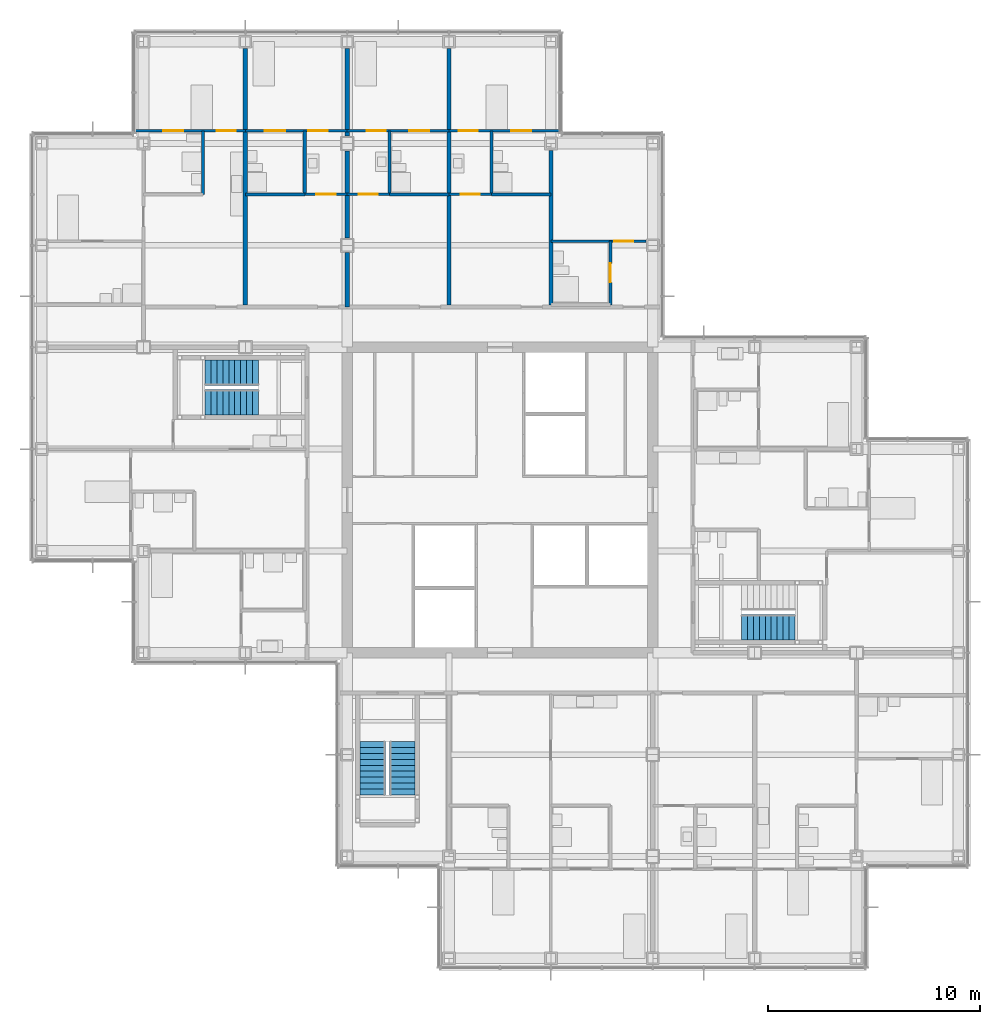
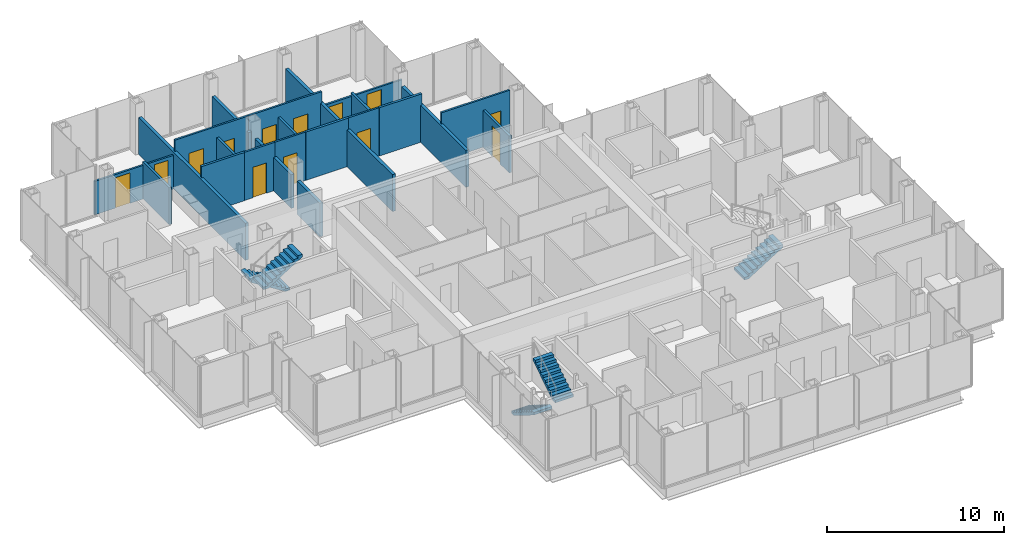
# One storey, part 16 of 20: 22 walls, 13 doors, 5 stair flights, 13 openings, 3 elements without a shape of their own.
"""IFC4 building model written with IfcOpenShell, lengths in metres."""

from ifc_helpers import new_model, si_unit, direction, frame, frame_2d, origin, place, context, subcontext, project, spatial, polyline, rectangle, outline, extrude, material, layer, layer_set, type_object, element, fill, aggregate, save


model = new_model("IFC4")

# Units and contexts
model_context = context("Model", 3, precision=1e-05, world=origin(), true_north=direction((0.0, 1.0)))
body_context = subcontext(model_context, "Body", "Model", "MODEL_VIEW")
ifc_project = project(units=[si_unit("LENGTHUNIT", "METRE"), si_unit("AREAUNIT", "SQUARE_METRE"), si_unit("VOLUMEUNIT", "CUBIC_METRE"), si_unit("PLANEANGLEUNIT", "RADIAN"), si_unit("MASSUNIT", "GRAM", prefix="KILO")], contexts=[model_context])

# Site, building, storey
site_placement = place(None, origin())
site = spatial("IfcSite", under=ifc_project, at=site_placement, CompositionType="ELEMENT")
building_placement = place(site_placement, origin())
building = spatial("IfcBuilding", under=site, at=building_placement, Name="Kvirike Care Tower", CompositionType="ELEMENT")
storey_placement = place(building_placement, frame((0.0, 0.0, 119.0)))
storey = spatial("IfcBuildingStorey", under=building, at=storey_placement, Name="L32", CompositionType="ELEMENT", Elevation=119.0)

# Walls
ifc_material_1 = material(Name="Moisture-resistant board partition", Category="gypsum")
ifc_layer_1 = layer(ifc_material_1, 0.14990234375)
ifc_layer_set_1 = layer_set([ifc_layer_1], Name="BATHROOM WALL 150")
wall_type_1 = type_object("IfcWallType", Name="BATHROOM WALL 150", PredefinedType="PARTITIONING", material=ifc_layer_set_1)
wall_1_placement = place(storey_placement, frame((12.39990234375, 53.39990234375, 0.0), z_axis=(0.0, 0.0, 1.0), x_axis=(0.0, -1.0, 0.0)))
element("IfcWall", 1, at=wall_1_placement, inside=storey, type_object=wall_type_1, Name="Bathroom Wall 150 L32", PredefinedType="PARTITIONING", context=body_context, shape_type="SweptSolid", body=[
    extrude(rectangle(XDim=3.0, YDim=0.14990234375, at=frame_2d((1.5, 0.0))), origin(), (0.0, 0.0, 1.0), 2.550048828125),
])
wall_2_placement = place(storey_placement, frame((12.39990234375, 50.39990234375, 0.0), z_axis=(0.0, 0.0, 1.0), x_axis=(-1.0, 0.0, 0.0)))
element("IfcWall", 2, at=wall_2_placement, inside=storey, type_object=wall_type_1, Name="Bathroom Wall 150 L32", PredefinedType="PARTITIONING", context=body_context, shape_type="SweptSolid", body=[
    extrude(rectangle(XDim=2.7998046875, YDim=0.14990234375, at=frame_2d((1.39990234375, 0.0))), origin(), (0.0, 0.0, 1.0), 3.330078125),
])
wall_3_placement = place(storey_placement, frame((7.60009765625, 53.39990234375, 0.0), z_axis=(0.0, 0.0, 1.0), x_axis=(0.0, -1.0, 0.0)))
element("IfcWall", 3, at=wall_3_placement, inside=storey, type_object=wall_type_1, Name="Bathroom Wall 150 L32", PredefinedType="PARTITIONING", context=body_context, shape_type="SweptSolid", body=[
    extrude(rectangle(XDim=3.0, YDim=0.14990234375, at=frame_2d((1.5, 0.0))), origin(), (0.0, 0.0, 1.0), 2.550048828125),
])

# Wall, opening, door
wall_4_placement = place(storey_placement, frame((26.800048828125, 48.199951171875, 0.0), z_axis=(0.0, 0.0, 1.0), x_axis=(0.0, -1.0, 0.0)))
wall_4 = element("IfcWall", 4, at=wall_4_placement, inside=storey, type_object=wall_type_1, Name="Bathroom Wall 150 L32", PredefinedType="PARTITIONING", context=body_context, shape_type="SweptSolid", body=[
    extrude(rectangle(XDim=3.0, YDim=0.14990234375, at=frame_2d((1.5, 0.0))), origin(), (0.0, 0.0, 1.0), 2.550048828125),
])
opening_1_placement = place(wall_4_placement, frame((1.050048828125, 0.0, 0.0)))
opening_1 = element("IfcOpeningElement", 5, at=opening_1_placement, cuts=wall_4, Name="Opening 32-027", PredefinedType="OPENING", context=body_context, shape_type="SweptSolid", body=[
    extrude(rectangle(XDim=0.89990234375, YDim=2.10009765625, at=frame_2d((0.449951171875, 1.050048828125))), frame((0.0, 0.08544921875, 0.0), z_axis=(0.0, -1.0, 0.0), x_axis=(1.0, 0.0, 0.0)), (0.0, 0.0, 1.0), 0.1708984375),
])
ifc_material_2 = material(Name="Timber door set", Category="wood")
door_type_1 = type_object("IfcDoorType", Name="BATHROOM DOOR 900", OperationType="SINGLE_SWING_RIGHT", PredefinedType="DOOR", material=ifc_material_2)
door_1_placement = place(opening_1_placement, origin())
door_1 = element("IfcDoor", 6, at=door_1_placement, inside=storey, type_object=door_type_1, Name="Assisted bathroom door", OperationType="SINGLE_SWING_LEFT", OverallHeight=2.10009765625, OverallWidth=0.89990234375, PredefinedType="DOOR", context=body_context, shape_type="SweptSolid", body=[
    extrude(rectangle(XDim=0.89990234375, YDim=2.10009765625, at=frame_2d((0.449951171875, 1.050048828125))), frame((0.0, 0.02197265625, 0.0), z_axis=(0.0, -1.0, 0.0), x_axis=(1.0, 0.0, 0.0)), (0.0, 0.0, 1.0), 0.0439453125),
])
fill(opening_1, door_1)

# Walls
wall_5_placement = place(storey_placement, frame((21.199951171875, 53.39990234375, 0.0), z_axis=(0.0, 0.0, 1.0), x_axis=(0.0, -1.0, 0.0)))
element("IfcWall", 7, at=wall_5_placement, inside=storey, type_object=wall_type_1, Name="Bathroom Wall 150 L32", PredefinedType="PARTITIONING", context=body_context, shape_type="SweptSolid", body=[
    extrude(rectangle(XDim=3.0, YDim=0.14990234375, at=frame_2d((1.5, 0.0))), origin(), (0.0, 0.0, 1.0), 2.550048828125),
])
wall_6_placement = place(storey_placement, frame((24.0, 50.39990234375, 0.0), z_axis=(0.0, 0.0, 1.0), x_axis=(-1.0, 0.0, 0.0)))
element("IfcWall", 8, at=wall_6_placement, inside=storey, type_object=wall_type_1, Name="Bathroom Wall 150 L32", PredefinedType="PARTITIONING", context=body_context, shape_type="SweptSolid", body=[
    extrude(rectangle(XDim=2.800048828125, YDim=0.14990234375, at=frame_2d((1.39990234375, 0.0))), origin(), (0.0, 0.0, 1.0), 3.330078125),
])
wall_7_placement = place(storey_placement, frame((16.39990234375, 53.39990234375, 0.0), z_axis=(0.0, 0.0, 1.0), x_axis=(0.0, -1.0, 0.0)))
element("IfcWall", 9, at=wall_7_placement, inside=storey, type_object=wall_type_1, Name="Bathroom Wall 150 L32", PredefinedType="PARTITIONING", context=body_context, shape_type="SweptSolid", body=[
    extrude(rectangle(XDim=3.0, YDim=0.14990234375, at=frame_2d((1.5, 0.0))), origin(), (0.0, 0.0, 1.0), 2.550048828125),
])
wall_8_placement = place(storey_placement, frame((19.199951171875, 50.39990234375, 0.0), z_axis=(0.0, 0.0, 1.0), x_axis=(-1.0, 0.0, 0.0)))
element("IfcWall", 10, at=wall_8_placement, inside=storey, type_object=wall_type_1, Name="Bathroom Wall 150 L32", PredefinedType="PARTITIONING", context=body_context, shape_type="SweptSolid", body=[
    extrude(rectangle(XDim=2.800048828125, YDim=0.14990234375, at=frame_2d((1.39990234375, 0.0))), origin(), (0.0, 0.0, 1.0), 3.330078125),
])

# Wall, opening, door
ifc_material_3 = material(Name="Plasterboard partition", Category="gypsum")
ifc_layer_2 = layer(ifc_material_3, 0.1201171875)
ifc_layer_set_2 = layer_set([ifc_layer_2], Name="PARTITION 120")
wall_type_2 = type_object("IfcWallType", Name="PARTITION 120", PredefinedType="PARTITIONING", material=ifc_layer_set_2)
wall_9_placement = place(storey_placement, frame((14.39990234375, 50.39990234375, 0.0), z_axis=(0.0, 0.0, 1.0), x_axis=(-1.0, 0.0, 0.0)))
wall_9 = element("IfcWall", 11, at=wall_9_placement, inside=storey, type_object=wall_type_2, Name="Partition 120 L32", PredefinedType="PARTITIONING", context=body_context, shape_type="SweptSolid", body=[
    extrude(rectangle(XDim=2.0, YDim=0.1201171875, at=frame_2d((1.0, 0.0))), origin(), (0.0, 0.0, 1.0), 3.330078125),
])
opening_2_placement = place(wall_9_placement, frame((0.550048828125, 0.0, 0.0)))
opening_2 = element("IfcOpeningElement", 12, at=opening_2_placement, cuts=wall_9, Name="Opening 32-010", PredefinedType="OPENING", context=body_context, shape_type="SweptSolid", body=[
    extrude(rectangle(XDim=0.89990234375, YDim=2.10009765625, at=frame_2d((0.449951171875, 1.050048828125))), frame((0.0, 0.070556640625, 0.0), z_axis=(0.0, -1.0, 0.0), x_axis=(1.0, 0.0, 0.0)), (0.0, 0.0, 1.0), 0.14111328125),
])
ifc_material_4 = material(Name="Timber door set", Category="wood")
door_type_2 = type_object("IfcDoorType", Name="INTERNAL DOOR 900", OperationType="SINGLE_SWING_LEFT", PredefinedType="DOOR", material=ifc_material_4)
door_2_placement = place(opening_2_placement, frame((0.89990234375, 0.0, 0.0), z_axis=(0.0, 0.0, 1.0), x_axis=(-1.0, 0.0, 0.0)))
door_2 = element("IfcDoor", 13, at=door_2_placement, inside=storey, type_object=door_type_2, Name="Kitchen door", OperationType="SINGLE_SWING_RIGHT", OverallHeight=2.10009765625, OverallWidth=0.89990234375, PredefinedType="DOOR", context=body_context, shape_type="SweptSolid", body=[
    extrude(rectangle(XDim=0.89990234375, YDim=2.10009765625, at=frame_2d((0.449951171875, 1.050048828125))), frame((0.0, 0.02197265625, 0.0), z_axis=(0.0, -1.0, 0.0), x_axis=(1.0, 0.0, 0.0)), (0.0, 0.0, 1.0), 0.0439453125),
])
fill(opening_2, door_2)

# Wall, openings, doors
wall_10_placement = place(storey_placement, frame((14.39990234375, 53.39990234375, 0.0), z_axis=(0.0, 0.0, 1.0), x_axis=(-1.0, 0.0, 0.0)))
wall_10 = element("IfcWall", 14, at=wall_10_placement, inside=storey, type_object=wall_type_2, Name="Partition 120 L32", PredefinedType="PARTITIONING", context=body_context, shape_type="SweptSolid", body=[
    extrude(rectangle(XDim=4.7998046875, YDim=0.1201171875, at=frame_2d((2.39990234375, 0.0))), origin(), (0.0, 0.0, 1.0), 3.330078125),
])
opening_3_placement = place(wall_10_placement, frame((0.925048828125, 0.0, 0.0)))
opening_3 = element("IfcOpeningElement", 15, at=opening_3_placement, cuts=wall_10, Name="Opening 32-011", PredefinedType="OPENING", context=body_context, shape_type="SweptSolid", body=[
    extrude(rectangle(XDim=0.89990234375, YDim=2.10009765625, at=frame_2d((0.449951171875, 1.050048828125))), frame((0.0, 0.070556640625, 0.0), z_axis=(0.0, -1.0, 0.0), x_axis=(1.0, 0.0, 0.0)), (0.0, 0.0, 1.0), 0.14111328125),
])
opening_4_placement = place(wall_10_placement, frame((2.925048828125, 0.0, 0.0)))
opening_4 = element("IfcOpeningElement", 16, at=opening_4_placement, cuts=wall_10, Name="Opening 32-012", PredefinedType="OPENING", context=body_context, shape_type="SweptSolid", body=[
    extrude(rectangle(XDim=0.949951171875, YDim=2.10009765625, at=frame_2d((0.47509765625, 1.050048828125))), frame((0.0, 0.070556640625, 0.0), z_axis=(0.0, -1.0, 0.0), x_axis=(1.0, 0.0, 0.0)), (0.0, 0.0, 1.0), 0.14111328125),
])
ifc_material_5 = material(Name="Timber door set", Category="wood")
door_type_3 = type_object("IfcDoorType", Name="EN-SUITE SLIDING DOOR 950", OperationType="SLIDING_TO_LEFT", PredefinedType="DOOR", material=ifc_material_5)
door_3_placement = place(opening_4_placement, origin())
door_3 = element("IfcDoor", 17, at=door_3_placement, inside=storey, type_object=door_type_3, Name="En-suite door", OperationType="SLIDING_TO_LEFT", OverallHeight=2.10009765625, OverallWidth=0.949951171875, PredefinedType="DOOR", context=body_context, shape_type="SweptSolid", body=[
    extrude(rectangle(XDim=0.949951171875, YDim=2.10009765625, at=frame_2d((0.47509765625, 1.050048828125))), frame((0.0, 0.02197265625, 0.0), z_axis=(0.0, -1.0, 0.0), x_axis=(1.0, 0.0, 0.0)), (0.0, 0.0, 1.0), 0.0439453125),
])
fill(opening_4, door_3)
door_4_placement = place(opening_3_placement, origin())
door_4 = element("IfcDoor", 18, at=door_4_placement, inside=storey, type_object=door_type_2, Name="Assisted living suite door", OperationType="SINGLE_SWING_LEFT", OverallHeight=2.10009765625, OverallWidth=0.89990234375, PredefinedType="DOOR", context=body_context, shape_type="SweptSolid", body=[
    extrude(rectangle(XDim=0.89990234375, YDim=2.10009765625, at=frame_2d((0.449951171875, 1.050048828125))), frame((0.0, 0.02197265625, 0.0), z_axis=(0.0, -1.0, 0.0), x_axis=(1.0, 0.0, 0.0)), (0.0, 0.0, 1.0), 0.0439453125),
])
fill(opening_3, door_4)

wall_11_placement = place(storey_placement, frame((9.60009765625, 53.39990234375, 0.0), z_axis=(0.0, 0.0, 1.0), x_axis=(-1.0, 0.0, 0.0)))
wall_11 = element("IfcWall", 19, at=wall_11_placement, inside=storey, type_object=wall_type_2, Name="Partition 120 L32", PredefinedType="PARTITIONING", context=body_context, shape_type="SweptSolid", body=[
    extrude(rectangle(XDim=5.239990234375, YDim=0.1201171875, at=frame_2d((2.6201171875, 0.0))), origin(), (0.0, 0.0, 1.0), 2.320068359375),
])
opening_5_placement = place(wall_11_placement, frame((0.449951171875, 0.0, 0.0)))
opening_5 = element("IfcOpeningElement", 20, at=opening_5_placement, cuts=wall_11, Name="Opening 32-013", PredefinedType="OPENING", context=body_context, shape_type="SweptSolid", body=[
    extrude(rectangle(XDim=0.89990234375, YDim=2.10009765625, at=frame_2d((0.449951171875, 1.050048828125))), frame((0.0, 0.070556640625, 0.0), z_axis=(0.0, -1.0, 0.0), x_axis=(1.0, 0.0, 0.0)), (0.0, 0.0, 1.0), 0.14111328125),
])
opening_6_placement = place(wall_11_placement, frame((2.925048828125, 0.0, 0.0)))
opening_6 = element("IfcOpeningElement", 21, at=opening_6_placement, cuts=wall_11, Name="Opening 32-014", PredefinedType="OPENING", context=body_context, shape_type="SweptSolid", body=[
    extrude(rectangle(XDim=0.949951171875, YDim=2.10009765625, at=frame_2d((0.47509765625, 1.050048828125))), frame((0.0, 0.070556640625, 0.0), z_axis=(0.0, -1.0, 0.0), x_axis=(1.0, 0.0, 0.0)), (0.0, 0.0, 1.0), 0.14111328125),
])
door_5_placement = place(opening_6_placement, origin())
door_5 = element("IfcDoor", 22, at=door_5_placement, inside=storey, type_object=door_type_3, Name="En-suite door", OperationType="SLIDING_TO_RIGHT", OverallHeight=2.10009765625, OverallWidth=0.949951171875, PredefinedType="DOOR", context=body_context, shape_type="SweptSolid", body=[
    extrude(rectangle(XDim=0.949951171875, YDim=2.10009765625, at=frame_2d((0.47509765625, 1.050048828125))), frame((0.0, 0.02197265625, 0.0), z_axis=(0.0, -1.0, 0.0), x_axis=(1.0, 0.0, 0.0)), (0.0, 0.0, 1.0), 0.0439453125),
])
fill(opening_6, door_5)
door_6_placement = place(opening_5_placement, frame((0.89990234375, 0.0, 0.0), z_axis=(0.0, 0.0, 1.0), x_axis=(-1.0, 0.0, 0.0)))
door_6 = element("IfcDoor", 23, at=door_6_placement, inside=storey, type_object=door_type_2, Name="Assisted living suite door", OperationType="SINGLE_SWING_LEFT", OverallHeight=2.10009765625, OverallWidth=0.89990234375, PredefinedType="DOOR", context=body_context, shape_type="SweptSolid", body=[
    extrude(rectangle(XDim=0.89990234375, YDim=2.10009765625, at=frame_2d((0.449951171875, 1.050048828125))), frame((0.0, 0.02197265625, 0.0), z_axis=(0.0, -1.0, 0.0), x_axis=(1.0, 0.0, 0.0)), (0.0, 0.0, 1.0), 0.0439453125),
])
fill(opening_5, door_6)

# Wall, opening, door
wall_12_placement = place(storey_placement, frame((28.47998046875, 48.199951171875, 0.0), z_axis=(0.0, 0.0, 1.0), x_axis=(-1.0, 0.0, 0.0)))
wall_12 = element("IfcWall", 24, at=wall_12_placement, inside=storey, type_object=wall_type_2, Name="Partition 120 L32", PredefinedType="PARTITIONING", context=body_context, shape_type="SweptSolid", body=[
    extrude(rectangle(XDim=4.47998046875, YDim=0.1201171875, at=frame_2d((2.239990234375, 0.0))), origin(), (0.0, 0.0, 1.0), 3.330078125),
])
opening_7_placement = place(wall_12_placement, frame((0.60498046875, 0.0, 0.0)))
opening_7 = element("IfcOpeningElement", 25, at=opening_7_placement, cuts=wall_12, Name="Opening 32-028", PredefinedType="OPENING", context=body_context, shape_type="SweptSolid", body=[
    extrude(rectangle(XDim=0.89990234375, YDim=2.10009765625, at=frame_2d((0.449951171875, 1.050048828125))), frame((0.0, 0.070556640625, 0.0), z_axis=(0.0, -1.0, 0.0), x_axis=(1.0, 0.0, 0.0)), (0.0, 0.0, 1.0), 0.14111328125),
])
door_7_placement = place(opening_7_placement, origin())
door_7 = element("IfcDoor", 26, at=door_7_placement, inside=storey, type_object=door_type_2, Name="Care lounge door", OperationType="SINGLE_SWING_LEFT", OverallHeight=2.10009765625, OverallWidth=0.89990234375, PredefinedType="DOOR", context=body_context, shape_type="SweptSolid", body=[
    extrude(rectangle(XDim=0.89990234375, YDim=2.10009765625, at=frame_2d((0.449951171875, 1.050048828125))), frame((0.0, 0.02197265625, 0.0), z_axis=(0.0, -1.0, 0.0), x_axis=(1.0, 0.0, 0.0)), (0.0, 0.0, 1.0), 0.0439453125),
])
fill(opening_7, door_7)

wall_13_placement = place(storey_placement, frame((21.199951171875, 50.39990234375, 0.0), z_axis=(0.0, 0.0, 1.0), x_axis=(-1.0, 0.0, 0.0)))
wall_13 = element("IfcWall", 27, at=wall_13_placement, inside=storey, type_object=wall_type_2, Name="Partition 120 L32", PredefinedType="PARTITIONING", context=body_context, shape_type="SweptSolid", body=[
    extrude(rectangle(XDim=2.0, YDim=0.1201171875, at=frame_2d((1.0, 0.0))), origin(), (0.0, 0.0, 1.0), 3.330078125),
])
opening_8_placement = place(wall_13_placement, frame((0.550048828125, 0.0, 0.0)))
opening_8 = element("IfcOpeningElement", 28, at=opening_8_placement, cuts=wall_13, Name="Opening 32-029", PredefinedType="OPENING", context=body_context, shape_type="SweptSolid", body=[
    extrude(rectangle(XDim=0.89990234375, YDim=2.10009765625, at=frame_2d((0.449951171875, 1.050048828125))), frame((0.0, 0.070556640625, 0.0), z_axis=(0.0, -1.0, 0.0), x_axis=(1.0, 0.0, 0.0)), (0.0, 0.0, 1.0), 0.14111328125),
])
door_8_placement = place(opening_8_placement, frame((0.89990234375, 0.0, 0.0), z_axis=(0.0, 0.0, 1.0), x_axis=(-1.0, 0.0, 0.0)))
door_8 = element("IfcDoor", 29, at=door_8_placement, inside=storey, type_object=door_type_2, Name="Kitchen door", OperationType="SINGLE_SWING_RIGHT", OverallHeight=2.10009765625, OverallWidth=0.89990234375, PredefinedType="DOOR", context=body_context, shape_type="SweptSolid", body=[
    extrude(rectangle(XDim=0.89990234375, YDim=2.10009765625, at=frame_2d((0.449951171875, 1.050048828125))), frame((0.0, 0.02197265625, 0.0), z_axis=(0.0, -1.0, 0.0), x_axis=(1.0, 0.0, 0.0)), (0.0, 0.0, 1.0), 0.0439453125),
])
fill(opening_8, door_8)

# Wall, openings, doors
wall_14_placement = place(storey_placement, frame((24.43994140625, 53.39990234375, 0.0), z_axis=(0.0, 0.0, 1.0), x_axis=(-1.0, 0.0, 0.0)))
wall_14 = element("IfcWall", 30, at=wall_14_placement, inside=storey, type_object=wall_type_2, Name="Partition 120 L32", PredefinedType="PARTITIONING", context=body_context, shape_type="SweptSolid", body=[
    extrude(rectangle(XDim=5.239990234375, YDim=0.1201171875, at=frame_2d((2.6201171875, 0.0))), origin(), (0.0, 0.0, 1.0), 2.320068359375),
])
opening_9_placement = place(wall_14_placement, frame((3.889892578125, 0.0, 0.0)))
opening_9 = element("IfcOpeningElement", 31, at=opening_9_placement, cuts=wall_14, Name="Opening 32-030", PredefinedType="OPENING", context=body_context, shape_type="SweptSolid", body=[
    extrude(rectangle(XDim=0.89990234375, YDim=2.10009765625, at=frame_2d((0.449951171875, 1.050048828125))), frame((0.0, 0.070556640625, 0.0), z_axis=(0.0, -1.0, 0.0), x_axis=(1.0, 0.0, 0.0)), (0.0, 0.0, 1.0), 0.14111328125),
])
opening_10_placement = place(wall_14_placement, frame((1.364990234375, 0.0, 0.0)))
opening_10 = element("IfcOpeningElement", 32, at=opening_10_placement, cuts=wall_14, Name="Opening 32-031", PredefinedType="OPENING", context=body_context, shape_type="SweptSolid", body=[
    extrude(rectangle(XDim=0.949951171875, YDim=2.10009765625, at=frame_2d((0.47509765625, 1.050048828125))), frame((0.0, 0.070556640625, 0.0), z_axis=(0.0, -1.0, 0.0), x_axis=(1.0, 0.0, 0.0)), (0.0, 0.0, 1.0), 0.14111328125),
])
door_9_placement = place(opening_10_placement, origin())
door_9 = element("IfcDoor", 33, at=door_9_placement, inside=storey, type_object=door_type_3, Name="En-suite door", OperationType="SLIDING_TO_LEFT", OverallHeight=2.10009765625, OverallWidth=0.949951171875, PredefinedType="DOOR", context=body_context, shape_type="SweptSolid", body=[
    extrude(rectangle(XDim=0.949951171875, YDim=2.10009765625, at=frame_2d((0.47509765625, 1.050048828125))), frame((0.0, 0.02197265625, 0.0), z_axis=(0.0, -1.0, 0.0), x_axis=(1.0, 0.0, 0.0)), (0.0, 0.0, 1.0), 0.0439453125),
])
fill(opening_10, door_9)
door_10_placement = place(opening_9_placement, origin())
door_10 = element("IfcDoor", 34, at=door_10_placement, inside=storey, type_object=door_type_2, Name="Assisted living suite door", OperationType="SINGLE_SWING_LEFT", OverallHeight=2.10009765625, OverallWidth=0.89990234375, PredefinedType="DOOR", context=body_context, shape_type="SweptSolid", body=[
    extrude(rectangle(XDim=0.89990234375, YDim=2.10009765625, at=frame_2d((0.449951171875, 1.050048828125))), frame((0.0, 0.02197265625, 0.0), z_axis=(0.0, -1.0, 0.0), x_axis=(1.0, 0.0, 0.0)), (0.0, 0.0, 1.0), 0.0439453125),
])
fill(opening_9, door_10)

# Wall, opening, door
wall_15_placement = place(storey_placement, frame((16.39990234375, 50.39990234375, 0.0), z_axis=(0.0, 0.0, 1.0), x_axis=(-1.0, 0.0, 0.0)))
wall_15 = element("IfcWall", 35, at=wall_15_placement, inside=storey, type_object=wall_type_2, Name="Partition 120 L32", PredefinedType="PARTITIONING", context=body_context, shape_type="SweptSolid", body=[
    extrude(rectangle(XDim=2.0, YDim=0.1201171875, at=frame_2d((1.0, 0.0))), origin(), (0.0, 0.0, 1.0), 3.330078125),
])
opening_11_placement = place(wall_15_placement, frame((0.550048828125, 0.0, 0.0)))
opening_11 = element("IfcOpeningElement", 36, at=opening_11_placement, cuts=wall_15, Name="Opening 32-032", PredefinedType="OPENING", context=body_context, shape_type="SweptSolid", body=[
    extrude(rectangle(XDim=0.89990234375, YDim=2.10009765625, at=frame_2d((0.449951171875, 1.050048828125))), frame((0.0, 0.070556640625, 0.0), z_axis=(0.0, -1.0, 0.0), x_axis=(1.0, 0.0, 0.0)), (0.0, 0.0, 1.0), 0.14111328125),
])
door_11_placement = place(opening_11_placement, frame((0.89990234375, 0.0, 0.0), z_axis=(0.0, 0.0, 1.0), x_axis=(-1.0, 0.0, 0.0)))
door_11 = element("IfcDoor", 37, at=door_11_placement, inside=storey, type_object=door_type_2, Name="Kitchen door", OperationType="SINGLE_SWING_RIGHT", OverallHeight=2.10009765625, OverallWidth=0.89990234375, PredefinedType="DOOR", context=body_context, shape_type="SweptSolid", body=[
    extrude(rectangle(XDim=0.89990234375, YDim=2.10009765625, at=frame_2d((0.449951171875, 1.050048828125))), frame((0.0, 0.02197265625, 0.0), z_axis=(0.0, -1.0, 0.0), x_axis=(1.0, 0.0, 0.0)), (0.0, 0.0, 1.0), 0.0439453125),
])
fill(opening_11, door_11)

# Wall, openings, doors
wall_16_placement = place(storey_placement, frame((19.199951171875, 53.39990234375, 0.0), z_axis=(0.0, 0.0, 1.0), x_axis=(-1.0, 0.0, 0.0)))
wall_16 = element("IfcWall", 38, at=wall_16_placement, inside=storey, type_object=wall_type_2, Name="Partition 120 L32", PredefinedType="PARTITIONING", context=body_context, shape_type="SweptSolid", body=[
    extrude(rectangle(XDim=4.800048828125, YDim=0.1201171875, at=frame_2d((2.39990234375, 0.0))), origin(), (0.0, 0.0, 1.0), 3.330078125),
])
opening_12_placement = place(wall_16_placement, frame((2.97509765625, 0.0, 0.0)))
opening_12 = element("IfcOpeningElement", 39, at=opening_12_placement, cuts=wall_16, Name="Opening 32-033", PredefinedType="OPENING", context=body_context, shape_type="SweptSolid", body=[
    extrude(rectangle(XDim=0.89990234375, YDim=2.10009765625, at=frame_2d((0.449951171875, 1.050048828125))), frame((0.0, 0.070556640625, 0.0), z_axis=(0.0, -1.0, 0.0), x_axis=(1.0, 0.0, 0.0)), (0.0, 0.0, 1.0), 0.14111328125),
])
opening_13_placement = place(wall_16_placement, frame((0.925048828125, 0.0, 0.0)))
opening_13 = element("IfcOpeningElement", 40, at=opening_13_placement, cuts=wall_16, Name="Opening 32-034", PredefinedType="OPENING", context=body_context, shape_type="SweptSolid", body=[
    extrude(rectangle(XDim=0.949951171875, YDim=2.10009765625, at=frame_2d((0.47509765625, 1.050048828125))), frame((0.0, 0.070556640625, 0.0), z_axis=(0.0, -1.0, 0.0), x_axis=(1.0, 0.0, 0.0)), (0.0, 0.0, 1.0), 0.14111328125),
])
door_12_placement = place(opening_13_placement, origin())
door_12 = element("IfcDoor", 41, at=door_12_placement, inside=storey, type_object=door_type_3, Name="En-suite door", OperationType="SLIDING_TO_LEFT", OverallHeight=2.10009765625, OverallWidth=0.949951171875, PredefinedType="DOOR", context=body_context, shape_type="SweptSolid", body=[
    extrude(rectangle(XDim=0.949951171875, YDim=2.10009765625, at=frame_2d((0.47509765625, 1.050048828125))), frame((0.0, 0.02197265625, 0.0), z_axis=(0.0, -1.0, 0.0), x_axis=(1.0, 0.0, 0.0)), (0.0, 0.0, 1.0), 0.0439453125),
])
fill(opening_13, door_12)
door_13_placement = place(opening_12_placement, origin())
door_13 = element("IfcDoor", 42, at=door_13_placement, inside=storey, type_object=door_type_2, Name="Assisted living suite door", OperationType="SINGLE_SWING_RIGHT", OverallHeight=2.10009765625, OverallWidth=0.89990234375, PredefinedType="DOOR", context=body_context, shape_type="SweptSolid", body=[
    extrude(rectangle(XDim=0.89990234375, YDim=2.10009765625, at=frame_2d((0.449951171875, 1.050048828125))), frame((0.0, 0.02197265625, 0.0), z_axis=(0.0, -1.0, 0.0), x_axis=(1.0, 0.0, 0.0)), (0.0, 0.0, 1.0), 0.0439453125),
])
fill(opening_12, door_13)

# Walls
ifc_material_6 = material(Name="Plasterboard party wall", Category="gypsum")
ifc_layer_3 = layer(ifc_material_6, 0.199951171875)
ifc_layer_set_3 = layer_set([ifc_layer_3], Name="PARTY WALL 200")
wall_type_3 = type_object("IfcWallType", Name="PARTY WALL 200", PredefinedType="PARTITIONING", material=ifc_layer_set_3)
wall_17_placement = place(storey_placement, frame((9.60009765625, 57.280029296875, 0.0), z_axis=(0.0, 0.0, 1.0), x_axis=(0.0, -1.0, 0.0)))
element("IfcWall", 43, at=wall_17_placement, inside=storey, type_object=wall_type_3, Name="Party Wall 200 L32", PredefinedType="PARTITIONING", context=body_context, shape_type="SweptSolid", body=[
    extrude(rectangle(XDim=12.080078125, YDim=0.199951171875, at=frame_2d((6.0400390625, 0.0))), origin(), (0.0, 0.0, 1.0), 2.550048828125),
])
wall_18_placement = place(storey_placement, frame((24.0, 52.47998046875, 0.0), z_axis=(0.0, 0.0, 1.0), x_axis=(0.0, -1.0, 0.0)))
element("IfcWall", 44, at=wall_18_placement, inside=storey, type_object=wall_type_3, Name="Party Wall 200 L32", PredefinedType="PARTITIONING", context=body_context, shape_type="SweptSolid", body=[
    extrude(rectangle(XDim=7.280029296875, YDim=0.199951171875, at=frame_2d((3.64013671875, 0.0))), origin(), (0.0, 0.0, 1.0), 2.550048828125),
])
wall_19_placement = place(storey_placement, frame((19.199951171875, 57.280029296875, 0.0), z_axis=(0.0, 0.0, 1.0), x_axis=(0.0, -1.0, 0.0)))
element("IfcWall", 45, at=wall_19_placement, inside=storey, type_object=wall_type_3, Name="Party Wall 200 L32", PredefinedType="PARTITIONING", context=body_context, shape_type="SweptSolid", body=[
    extrude(rectangle(XDim=12.080078125, YDim=0.199951171875, at=frame_2d((6.0400390625, 0.0))), origin(), (0.0, 0.0, 1.0), 2.550048828125),
])
wall_20_placement = place(storey_placement, frame((14.39990234375, 45.10009765625, 0.0), z_axis=(0.0, 0.0, 1.0), x_axis=(0.0, 1.0, 0.0)))
element("IfcWall", 46, at=wall_20_placement, inside=storey, type_object=wall_type_3, Name="Party Wall 200 L32", PredefinedType="PARTITIONING", context=body_context, shape_type="SweptSolid", body=[
    extrude(rectangle(XDim=2.554931640625, YDim=0.199951171875, at=frame_2d((1.27734375, 0.0))), origin(), (0.0, 0.0, 1.0), 2.320068359375),
])
wall_21_placement = place(storey_placement, frame((14.39990234375, 48.344970703125, 0.0), z_axis=(0.0, 0.0, 1.0), x_axis=(0.0, 1.0, 0.0)))
element("IfcWall", 47, at=wall_21_placement, inside=storey, type_object=wall_type_3, Name="Party Wall 200 L32", PredefinedType="PARTITIONING", context=body_context, shape_type="SweptSolid", body=[
    extrude(rectangle(XDim=4.110107421875, YDim=0.199951171875, at=frame_2d((2.05517578125, 0.0))), origin(), (0.0, 0.0, 1.0), 2.320068359375),
])
wall_22_placement = place(storey_placement, frame((14.39990234375, 53.14501953125, 0.0), z_axis=(0.0, 0.0, 1.0), x_axis=(0.0, 1.0, 0.0)))
element("IfcWall", 48, at=wall_22_placement, inside=storey, type_object=wall_type_3, Name="Party Wall 200 L32", PredefinedType="PARTITIONING", context=body_context, shape_type="SweptSolid", body=[
    extrude(rectangle(XDim=4.135009765625, YDim=0.199951171875, at=frame_2d((2.0673828125, 0.0))), origin(), (0.0, 0.0, 1.0), 2.320068359375),
])

# Stair, stair flights
ifc_material_7 = material(Name="Concrete C35/45", Category="concrete")
stair_type = type_object("IfcStairType", Name="STAIR 20 RISERS", PredefinedType="HALF_TURN_STAIR", material=ifc_material_7)
stair_1_placement = place(storey_placement, origin())
stair_1 = element("IfcStair", 49, at=stair_1_placement, inside=storey, type_object=stair_type, Name="Stair 1 L32", PredefinedType="HALF_TURN_STAIR")
ifc_material_8 = material(Name="Concrete C35/45", Category="concrete")
stair_flight_type = type_object("IfcStairFlightType", Name="FLIGHT 10 RISERS", PredefinedType="STRAIGHT", material=ifc_material_8)
stair_flight_1_placement = place(storey_placement, frame((10.219970703125, 42.0, 0.0), z_axis=(0.0, 0.0, 1.0), x_axis=(-1.0, 0.0, 0.0)))
stair_flight_1 = element("IfcStairFlight", 50, at=stair_flight_1_placement, type_object=stair_flight_type, Name="Stair S1 flight 1 L32-L33", NumberOfRisers=10, NumberOfTreads=9, PredefinedType="STRAIGHT", RiserHeight=0.175, TreadLength=0.28, context=body_context, shape_type="SweptSolid", body=[
    extrude(outline(polyline([(0.0, 0.0), (0.0, 0.175048828125), (0.280029296875, 0.175048828125), (0.280029296875, 0.35009765625), (0.56005859375, 0.35009765625), (0.56005859375, 0.52490234375), (0.840087890625, 0.52490234375), (0.840087890625, 0.699951171875), (1.1201171875, 0.699951171875), (1.1201171875, 0.875), (1.39990234375, 0.875), (1.39990234375, 1.050048828125), (1.679931640625, 1.050048828125), (1.679931640625, 1.22509765625), (1.9599609375, 1.22509765625), (1.9599609375, 1.39990234375), (2.239990234375, 1.39990234375), (2.239990234375, 1.574951171875), (2.52001953125, 1.574951171875), (2.52001953125, 1.75), (2.52001953125, 1.398193359375), (0.28271484375, 0.0), (0.0, 0.0)])), frame((0.0, 0.60009765625, 0.0), z_axis=(0.0, -1.0, 0.0), x_axis=(1.0, 0.0, 0.0)), (0.0, 0.0, 1.0), 1.199951171875),
])
stair_flight_2_placement = place(storey_placement, frame((7.699951171875, 40.60009765625, 1.75), z_axis=(0.0, 0.0, 1.0), x_axis=(1.0, 0.0, 0.0)))
stair_flight_2 = element("IfcStairFlight", 51, at=stair_flight_2_placement, type_object=stair_flight_type, Name="Stair S1 flight 2 L32-L33", NumberOfRisers=10, NumberOfTreads=9, PredefinedType="STRAIGHT", RiserHeight=0.175, TreadLength=0.28, context=body_context, shape_type="SweptSolid", body=[
    extrude(outline(polyline([(0.0, 0.0), (0.0, 0.175048828125), (0.280029296875, 0.175048828125), (0.280029296875, 0.35009765625), (0.56005859375, 0.35009765625), (0.56005859375, 0.52490234375), (0.840087890625, 0.52490234375), (0.840087890625, 0.699951171875), (1.1201171875, 0.699951171875), (1.1201171875, 0.875), (1.39990234375, 0.875), (1.39990234375, 1.050048828125), (1.679931640625, 1.050048828125), (1.679931640625, 1.22509765625), (1.9599609375, 1.22509765625), (1.9599609375, 1.39990234375), (2.239990234375, 1.39990234375), (2.239990234375, 1.574951171875), (2.52001953125, 1.574951171875), (2.52001953125, 1.75), (2.52001953125, 1.398193359375), (0.28271484375, 0.0), (0.0, 0.0)])), frame((0.0, 0.60009765625, 0.0), z_axis=(0.0, -1.0, 0.0), x_axis=(1.0, 0.0, 0.0)), (0.0, 0.0, 1.0), 1.199951171875),
])
aggregate(stair_1, [stair_flight_1, stair_flight_2])

# Stair, stair flight
stair_2_placement = place(storey_placement, origin())
stair_2 = element("IfcStair", 52, at=stair_2_placement, inside=storey, type_object=stair_type, Name="Stair 2 L32", PredefinedType="HALF_TURN_STAIR")
stair_flight_3_placement = place(storey_placement, frame((32.97998046875, 30.0, 0.0), z_axis=(0.0, 0.0, 1.0), x_axis=(1.0, 0.0, 0.0)))
stair_flight_3 = element("IfcStairFlight", 53, at=stair_flight_3_placement, type_object=stair_flight_type, Name="Stair S2 flight 1 L32-L33", NumberOfRisers=10, NumberOfTreads=9, PredefinedType="STRAIGHT", RiserHeight=0.175, TreadLength=0.28, context=body_context, shape_type="SweptSolid", body=[
    extrude(outline(polyline([(0.0, 0.0), (0.0, 0.175048828125), (0.280029296875, 0.175048828125), (0.280029296875, 0.35009765625), (0.56005859375, 0.35009765625), (0.56005859375, 0.52490234375), (0.840087890625, 0.52490234375), (0.840087890625, 0.699951171875), (1.1201171875, 0.699951171875), (1.1201171875, 0.875), (1.39990234375, 0.875), (1.39990234375, 1.050048828125), (1.679931640625, 1.050048828125), (1.679931640625, 1.22509765625), (1.9599609375, 1.22509765625), (1.9599609375, 1.39990234375), (2.239990234375, 1.39990234375), (2.239990234375, 1.574951171875), (2.52001953125, 1.574951171875), (2.52001953125, 1.75), (2.52001953125, 1.398193359375), (0.28271484375, 0.0), (0.0, 0.0)])), frame((0.0, 0.60009765625, 0.0), z_axis=(0.0, -1.0, 0.0), x_axis=(1.0, 0.0, 0.0)), (0.0, 0.0, 1.0), 1.199951171875),
])
aggregate(stair_2, [stair_flight_3])

# Stair, stair flights
stair_3_placement = place(storey_placement, origin())
stair_3 = element("IfcStair", 54, at=stair_3_placement, inside=storey, type_object=stair_type, Name="Stair 5 L32", PredefinedType="HALF_TURN_STAIR")
stair_flight_4_placement = place(storey_placement, frame((15.60009765625, 24.6201171875, 0.0), z_axis=(0.0, 0.0, 1.0), x_axis=(0.0, -1.0, 0.0)))
stair_flight_4 = element("IfcStairFlight", 55, at=stair_flight_4_placement, type_object=stair_flight_type, Name="Stair S5 flight 1 L32-L33", NumberOfRisers=10, NumberOfTreads=9, PredefinedType="STRAIGHT", RiserHeight=0.175, TreadLength=0.28, context=body_context, shape_type="SweptSolid", body=[
    extrude(outline(polyline([(0.0, 0.0), (0.0, 0.175048828125), (0.280029296875, 0.175048828125), (0.280029296875, 0.35009765625), (0.56005859375, 0.35009765625), (0.56005859375, 0.52490234375), (0.840087890625, 0.52490234375), (0.840087890625, 0.699951171875), (1.1201171875, 0.699951171875), (1.1201171875, 0.875), (1.39990234375, 0.875), (1.39990234375, 1.050048828125), (1.679931640625, 1.050048828125), (1.679931640625, 1.22509765625), (1.9599609375, 1.22509765625), (1.9599609375, 1.39990234375), (2.239990234375, 1.39990234375), (2.239990234375, 1.574951171875), (2.52001953125, 1.574951171875), (2.52001953125, 1.75), (2.52001953125, 1.398193359375), (0.28271484375, 0.0), (0.0, 0.0)])), frame((0.0, 0.60009765625, 0.0), z_axis=(0.0, -1.0, 0.0), x_axis=(1.0, 0.0, 0.0)), (0.0, 0.0, 1.0), 1.199951171875),
])
stair_flight_5_placement = place(storey_placement, frame((17.0, 22.10009765625, 1.75), z_axis=(0.0, 0.0, 1.0), x_axis=(0.0, 1.0, 0.0)))
stair_flight_5 = element("IfcStairFlight", 56, at=stair_flight_5_placement, type_object=stair_flight_type, Name="Stair S5 flight 2 L32-L33", NumberOfRisers=10, NumberOfTreads=9, PredefinedType="STRAIGHT", RiserHeight=0.175, TreadLength=0.28, context=body_context, shape_type="SweptSolid", body=[
    extrude(outline(polyline([(0.0, 0.0), (0.0, 0.175048828125), (0.280029296875, 0.175048828125), (0.280029296875, 0.35009765625), (0.56005859375, 0.35009765625), (0.56005859375, 0.52490234375), (0.840087890625, 0.52490234375), (0.840087890625, 0.699951171875), (1.1201171875, 0.699951171875), (1.1201171875, 0.875), (1.39990234375, 0.875), (1.39990234375, 1.050048828125), (1.679931640625, 1.050048828125), (1.679931640625, 1.22509765625), (1.9599609375, 1.22509765625), (1.9599609375, 1.39990234375), (2.239990234375, 1.39990234375), (2.239990234375, 1.574951171875), (2.52001953125, 1.574951171875), (2.52001953125, 1.75), (2.52001953125, 1.398193359375), (0.28271484375, 0.0), (0.0, 0.0)])), frame((0.0, 0.60009765625, 0.0), z_axis=(0.0, -1.0, 0.0), x_axis=(1.0, 0.0, 0.0)), (0.0, 0.0, 1.0), 1.199951171875),
])
aggregate(stair_3, [stair_flight_4, stair_flight_5])

save(model, "model.ifc")
